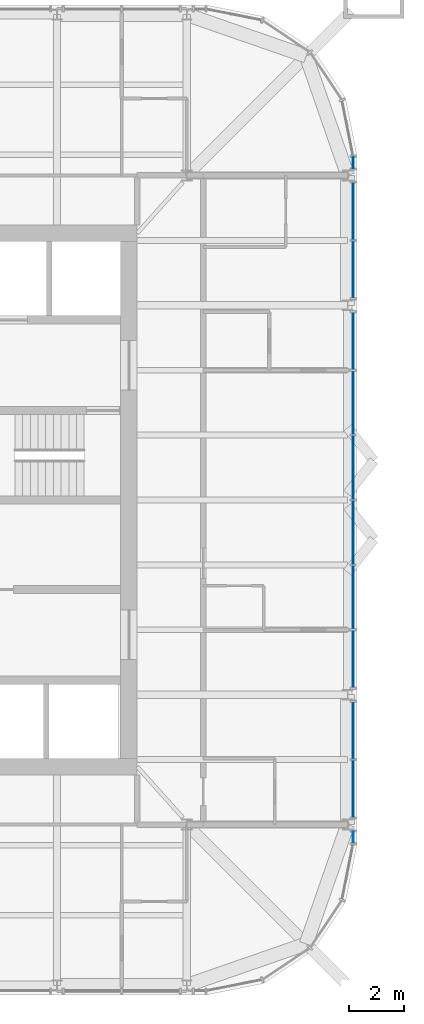
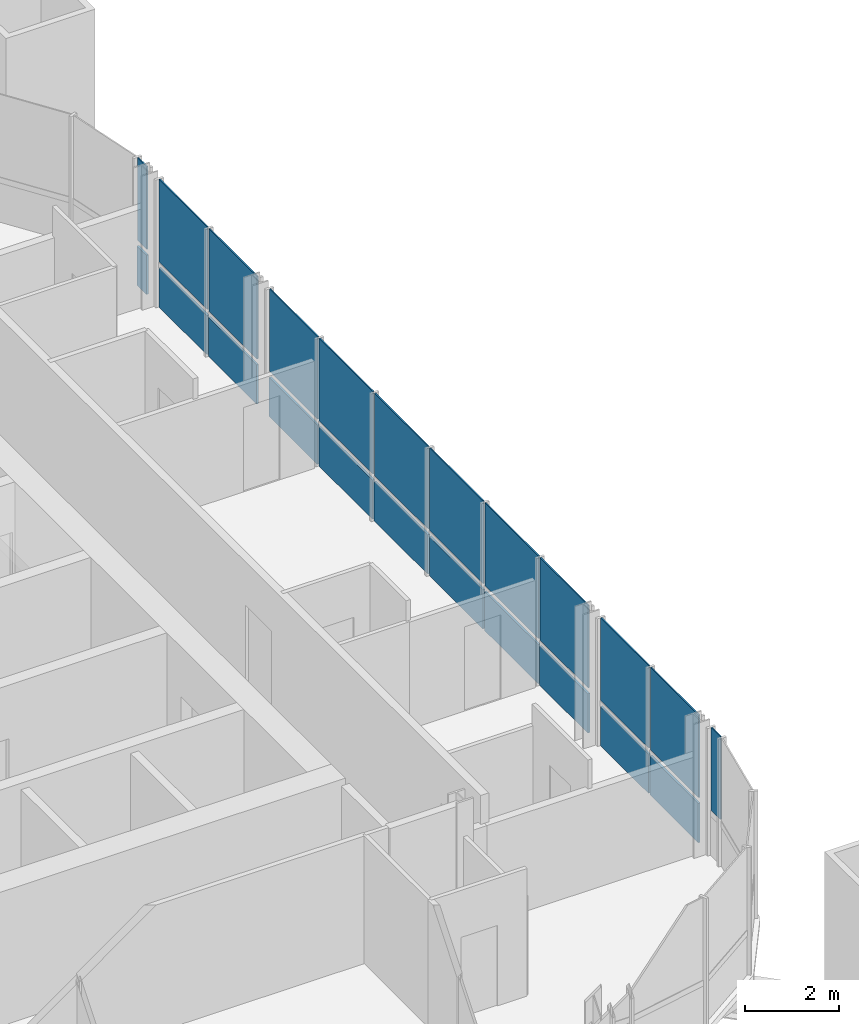
# One storey, part 11 of 17: 23 plates, 5 elements without a shape of their own.
"""IFC4 building model written with IfcOpenShell, lengths in metres."""

import ifcopenshell
import ifcopenshell.guid

model = None  # the IFC model being written
_history = None  # IfcOwnerHistory: only IFC2X3 demands one
_inside = {}  # id of a spatial element -> (the spatial element, [elements in it])
_under = {}  # id of a project, library or spatial element -> (it, [spatial elements below it])
_declared = {}  # id of a project -> (the project, [libraries it declares])
_typed = {}  # id of a type object -> (the type object, [elements of that type])
_made_of = {}  # id of a material, layer set ... -> (it, [elements and type objects made of it])


def new_model(schema):
    """Start an empty IFC model of exactly this schema.

    Asked for "IFC4X3", IfcOpenShell would pick the latest addendum, in which some entities
    have other attributes; the version numbers below select the first issue.
    IFC2X3 requires an IfcOwnerHistory on every rooted entity: one is made here for all.
    """
    global model, _history
    if schema == "IFC4X3":
        model = ifcopenshell.file(schema_version=(4, 3, 0, 0))
    else:
        model = ifcopenshell.file(schema=schema)
    _inside.clear()
    _under.clear()
    _declared.clear()
    _typed.clear()
    _made_of.clear()
    _history = None
    if model.schema == "IFC2X3":
        org = make("IfcOrganization", Name="unknown")
        user = make(
            "IfcPersonAndOrganization",
            ThePerson=make("IfcPerson", FamilyName="unknown"),
            TheOrganization=org,
        )
        app = make(
            "IfcApplication",
            ApplicationDeveloper=org,
            Version="unknown",
            ApplicationFullName="unknown",
            ApplicationIdentifier="unknown",
        )
        _history = make(
            "IfcOwnerHistory",
            OwningUser=user,
            OwningApplication=app,
            ChangeAction="ADDED",
            CreationDate=0,
        )
    return model


def make(cls, **values):
    """One entity of the class cls with the attributes given. An attribute that is None is left unset."""
    return model.create_entity(
        cls, **{name: value for name, value in values.items() if value is not None}
    )


def rooted(cls, **values):
    """An entity with a GlobalId (a new one), such as an element, a storey or a relation."""
    return make(cls, GlobalId=ifcopenshell.guid.new(), OwnerHistory=_history, **values)


def si_unit(unit_type, name, prefix=None):
    """IfcSIUnit, for example si_unit("LENGTHUNIT", "METRE", prefix="MILLI")."""
    return make("IfcSIUnit", UnitType=unit_type, Prefix=prefix, Name=name)


def assignment(units):
    """IfcUnitAssignment: the units of a project."""
    return None if units is None else make("IfcUnitAssignment", Units=units)


def point(xyz):
    """IfcCartesianPoint."""
    return None if xyz is None else make("IfcCartesianPoint", Coordinates=xyz)


def direction(xyz):
    """IfcDirection."""
    return None if xyz is None else make("IfcDirection", DirectionRatios=xyz)


def frame(location, z_axis=None, x_axis=None):
    """IfcAxis2Placement3D, a coordinate frame: its origin and axes. An axis left out is left unset."""
    return make(
        "IfcAxis2Placement3D",
        Location=point(location),
        Axis=direction(z_axis),
        RefDirection=direction(x_axis),
    )


def frame_2d(location, x_axis=None):
    """IfcAxis2Placement2D, a coordinate frame in the plane: its origin and x axis."""
    return make(
        "IfcAxis2Placement2D", Location=point(location), RefDirection=direction(x_axis)
    )


def origin():
    """The frame at (0, 0, 0) with its axes left unset."""
    return frame((0.0, 0.0, 0.0))


def origin_2d():
    """The frame at (0, 0) in the plane with its x axis left unset."""
    return frame_2d((0.0, 0.0))


def place(relative_to, where):
    """IfcLocalPlacement: puts the frame where relative to a parent placement (None: the world)."""
    return make(
        "IfcLocalPlacement", PlacementRelTo=relative_to, RelativePlacement=where
    )


def context(
    kind, dimensions, precision=None, world=None, true_north=None, identifier=None
):
    """IfcGeometricRepresentationContext, for example the 3D "Model" context."""
    return make(
        "IfcGeometricRepresentationContext",
        ContextIdentifier=identifier,
        ContextType=kind,
        CoordinateSpaceDimension=dimensions,
        Precision=precision,
        WorldCoordinateSystem=world,
        TrueNorth=true_north,
    )


def subcontext(parent, identifier, kind, view, scale=None):
    """IfcGeometricRepresentationSubContext, for example "Body" below "Model"."""
    return make(
        "IfcGeometricRepresentationSubContext",
        ContextIdentifier=identifier,
        ContextType=kind,
        ParentContext=parent,
        TargetScale=scale,
        TargetView=view,
    )


def project(units=None, contexts=None):
    """IfcProject with its units and contexts."""
    return rooted(
        "IfcProject",
        Name="project",
        RepresentationContexts=contexts,
        UnitsInContext=assignment(units),
    )


def spatial(cls, under=None, at=None, **own):
    """A site, building, storey or space (cls), placed at a placement, below another one or the project."""
    s = rooted(cls, ObjectPlacement=at, **own)
    if under is not None:
        _under.setdefault(under.id(), (under, []))[1].append(s)
    return s


def profile(cls, at=None, kind="AREA", **sizes):
    """A parametric profile (cls). Its sizes go by their IFC names, for example OverallWidth=200.0."""
    return make(cls, ProfileType=kind, Position=at, **sizes)


def rectangle(**sizes):
    """IfcRectangleProfileDef."""
    return profile("IfcRectangleProfileDef", **sizes)


def extrude(swept, where, along, depth):
    """IfcExtrudedAreaSolid: the profile swept, set in the frame where, extruded along a direction by depth."""
    return make(
        "IfcExtrudedAreaSolid",
        SweptArea=swept,
        Position=where,
        ExtrudedDirection=direction(along),
        Depth=depth,
    )


def shape(context_of_items, identifier, shape_type, items):
    """IfcShapeRepresentation: the items that make up one representation, for example the "Body"."""
    return make(
        "IfcShapeRepresentation",
        ContextOfItems=context_of_items,
        RepresentationIdentifier=identifier,
        RepresentationType=shape_type,
        Items=items,
    )


def material(Name=None, Category=None):
    """IfcMaterial."""
    return make("IfcMaterial", Name=Name, Category=Category)


def layer(
    of_material, thickness, ventilated=None, Name=None, Category=None, Priority=None
):
    """IfcMaterialLayer: one layer of a wall or slab, of a material (None: an air gap)."""
    return make(
        "IfcMaterialLayer",
        Material=of_material,
        LayerThickness=thickness,
        IsVentilated=ventilated,
        Name=Name,
        Category=Category,
        Priority=Priority,
    )


def layer_set(layers, Name=None):
    """IfcMaterialLayerSet."""
    return make("IfcMaterialLayerSet", MaterialLayers=layers, LayerSetName=Name)


def made_of(thing, what):
    """Note that an element or type object is made of a material, layer set ...; save() writes the relation."""
    if what is not None:
        _made_of.setdefault(what.id(), (what, []))[1].append(thing)
    return thing


def type_object(cls, material=None, **own):
    """A type object (cls), such as IfcWallType, which elements share."""
    return made_of(rooted(cls, **own), material)


def element(
    cls,
    number,
    at=None,
    inside=None,
    cuts=None,
    type_object=None,
    material=None,
    context=None,
    identifier="Body",
    shape_type=None,
    held_by="IfcProductDefinitionShape",
    body=None,
    shapes=None,
    **own,
):
    """One element of the class cls, such as IfcWall. Its Tag is "e" and its number.

    at: its placement. inside: the storey or other place that contains it. cuts: it is an
    opening in that element (IfcRelVoidsElement). A single representation is given by context,
    identifier, shape_type and body (its items); several are given by shapes. held_by: the class
    of the entity that holds the representations. save() writes the other relations.
    """
    e = rooted(cls, Tag="e%d" % number, ObjectPlacement=at, **own)
    if body is not None:
        shapes = [shape(context, identifier, shape_type, body)]
    if shapes is not None:
        e.Representation = make(held_by, Representations=shapes)
    if inside is not None:
        _inside.setdefault(inside.id(), (inside, []))[1].append(e)
    if cuts is not None:
        rooted(
            "IfcRelVoidsElement", RelatingBuildingElement=cuts, RelatedOpeningElement=e
        )
    if type_object is not None:
        _typed.setdefault(type_object.id(), (type_object, []))[1].append(e)
    return made_of(e, material)


def aggregate(whole, parts):
    """IfcRelAggregates: a whole, such as a stair, and the parts it consists of."""
    return rooted("IfcRelAggregates", RelatingObject=whole, RelatedObjects=parts)


def save(model, path):
    """Write the relations noted so far, then the file.

    IfcRelAggregates (storeys below a building ...), IfcRelContainedInSpatialStructure (elements
    in a storey), IfcRelDefinesByType, IfcRelAssociatesMaterial and IfcRelDeclares: one each for
    every whole, place, type object, material and project.
    """
    for whole, parts in _under.values():
        aggregate(whole, parts)
    for where, things in _inside.values():
        rooted(
            "IfcRelContainedInSpatialStructure",
            RelatedElements=things,
            RelatingStructure=where,
        )
    for kind, things in _typed.values():
        rooted("IfcRelDefinesByType", RelatedObjects=things, RelatingType=kind)
    for what, things in _made_of.values():
        rooted("IfcRelAssociatesMaterial", RelatedObjects=things, RelatingMaterial=what)
    for by, libraries in _declared.values():
        rooted("IfcRelDeclares", RelatingContext=by, RelatedDefinitions=libraries)
    model.write(path)


model = new_model("IFC4")

# Units and contexts
model_context = context("Model", 3, precision=1e-05, world=origin(), true_north=direction((0.0, 1.0)))
body_context = subcontext(model_context, "Body", "Model", "MODEL_VIEW")
ifc_project = project(units=[si_unit("LENGTHUNIT", "METRE"), si_unit("AREAUNIT", "SQUARE_METRE"), si_unit("VOLUMEUNIT", "CUBIC_METRE"), si_unit("PLANEANGLEUNIT", "RADIAN"), si_unit("MASSUNIT", "GRAM", prefix="KILO")], contexts=[model_context])

# Site, building, storey
site_placement = place(None, origin())
site = spatial("IfcSite", under=ifc_project, at=site_placement, CompositionType="ELEMENT")
building_placement = place(site_placement, origin())
building = spatial("IfcBuilding", under=site, at=building_placement, Name="Turquesa Mirador Hotel Tower", CompositionType="ELEMENT")
storey_placement = place(building_placement, frame((0.0, 0.0, 251.199951171875)))
storey = spatial("IfcBuildingStorey", under=building, at=storey_placement, Name="L68", CompositionType="ELEMENT", Elevation=251.199951171875)

# Curtain wall, plates
ifc_material_1 = material(Name="Aluminium extrusion", Category="aluminium")
curtain_wall_type = type_object("IfcCurtainWallType", Name="CW-4 SUITE FRITTED CURTAIN WALL", PredefinedType="USERDEFINED", material=ifc_material_1)
curtain_wall_1_placement = place(storey_placement, origin())
curtain_wall_1 = element("IfcCurtainWall", 1, at=curtain_wall_1_placement, inside=storey, type_object=curtain_wall_type, Name="CW-4 SUITE FRITTED CURTAIN WALL L68", ObjectType="CURTAIN WALL", PredefinedType="USERDEFINED")
ifc_material_2 = material(Name="Ceramic-printed spandrel glass on an insulated back pan", Category="glass")
ifc_layer_1 = layer(ifc_material_2, 0.050048828125)
ifc_layer_set_1 = layer_set([ifc_layer_1], Name="CW PANEL SPANDREL CERAMIC")
plate_type_1 = type_object("IfcPlateType", Name="CW PANEL SPANDREL CERAMIC", PredefinedType="CURTAIN_PANEL", material=ifc_layer_set_1)
plate_1_placement = place(storey_placement, frame((72.85009765625, 34.496826171875, 0.0), z_axis=(0.0, 0.0, 1.0), x_axis=(0.0, 1.0, 0.0)))
plate_1 = element("IfcPlate", 2, at=plate_1_placement, type_object=plate_type_1, Name="Panel", PredefinedType="CURTAIN_PANEL", context=body_context, shape_type="SweptSolid", body=[
    extrude(rectangle(XDim=2.06103515625, YDim=0.050048828125, at=origin_2d()), origin(), (0.0, 0.0, 1.0), 1.02490234375),
])
plate_2_placement = place(storey_placement, frame((72.85009765625, 36.623046875, 0.0), z_axis=(0.0, 0.0, 1.0), x_axis=(0.0, 1.0, 0.0)))
plate_2 = element("IfcPlate", 3, at=plate_2_placement, type_object=plate_type_1, Name="Panel", PredefinedType="CURTAIN_PANEL", context=body_context, shape_type="SweptSolid", body=[
    extrude(rectangle(XDim=2.06103515625, YDim=0.050048828125, at=origin_2d()), origin(), (0.0, 0.0, 1.0), 1.02490234375),
])

curtain_wall_2_placement = place(storey_placement, origin())
curtain_wall_2 = element("IfcCurtainWall", 4, at=curtain_wall_2_placement, inside=storey, type_object=curtain_wall_type, Name="CW-4 SUITE FRITTED CURTAIN WALL L68", ObjectType="CURTAIN WALL", PredefinedType="USERDEFINED")
plate_3_placement = place(storey_placement, frame((72.85009765625, 39.217041015625, 0.0), z_axis=(0.0, 0.0, 1.0), x_axis=(0.0, 1.0, 0.0)))
plate_3 = element("IfcPlate", 5, at=plate_3_placement, type_object=plate_type_1, Name="Panel", PredefinedType="CURTAIN_PANEL", context=body_context, shape_type="SweptSolid", body=[
    extrude(rectangle(XDim=2.06103515625, YDim=0.050048828125, at=origin_2d()), origin(), (0.0, 0.0, 1.0), 1.02490234375),
])
plate_4_placement = place(storey_placement, frame((72.85009765625, 41.4599609375, 0.0), z_axis=(0.0, 0.0, 1.0), x_axis=(0.0, 1.0, 0.0)))
plate_4 = element("IfcPlate", 6, at=plate_4_placement, type_object=plate_type_1, Name="Panel", PredefinedType="CURTAIN_PANEL", context=body_context, shape_type="SweptSolid", body=[
    extrude(rectangle(XDim=2.294921875, YDim=0.050048828125, at=origin_2d()), origin(), (0.0, 0.0, 1.0), 1.02490234375),
])
plate_5_placement = place(storey_placement, frame((72.85009765625, 43.820068359375, 0.0), z_axis=(0.0, 0.0, 1.0), x_axis=(0.0, 1.0, 0.0)))
plate_5 = element("IfcPlate", 7, at=plate_5_placement, type_object=plate_type_1, Name="Panel", PredefinedType="CURTAIN_PANEL", context=body_context, shape_type="SweptSolid", body=[
    extrude(rectangle(XDim=2.294921875, YDim=0.050048828125, at=origin_2d()), origin(), (0.0, 0.0, 1.0), 1.02490234375),
])
plate_6_placement = place(storey_placement, frame((72.85009765625, 46.179931640625, 0.0), z_axis=(0.0, 0.0, 1.0), x_axis=(0.0, 1.0, 0.0)))
plate_6 = element("IfcPlate", 8, at=plate_6_placement, type_object=plate_type_1, Name="Panel", PredefinedType="CURTAIN_PANEL", context=body_context, shape_type="SweptSolid", body=[
    extrude(rectangle(XDim=2.294921875, YDim=0.050048828125, at=origin_2d()), origin(), (0.0, 0.0, 1.0), 1.02490234375),
])
plate_7_placement = place(storey_placement, frame((72.85009765625, 48.5400390625, 0.0), z_axis=(0.0, 0.0, 1.0), x_axis=(0.0, 1.0, 0.0)))
plate_7 = element("IfcPlate", 9, at=plate_7_placement, type_object=plate_type_1, Name="Panel", PredefinedType="CURTAIN_PANEL", context=body_context, shape_type="SweptSolid", body=[
    extrude(rectangle(XDim=2.294921875, YDim=0.050048828125, at=origin_2d()), origin(), (0.0, 0.0, 1.0), 1.02490234375),
])
plate_8_placement = place(storey_placement, frame((72.85009765625, 50.782958984375, 0.0), z_axis=(0.0, 0.0, 1.0), x_axis=(0.0, 1.0, 0.0)))
plate_8 = element("IfcPlate", 10, at=plate_8_placement, type_object=plate_type_1, Name="Panel", PredefinedType="CURTAIN_PANEL", context=body_context, shape_type="SweptSolid", body=[
    extrude(rectangle(XDim=2.06103515625, YDim=0.050048828125, at=origin_2d()), origin(), (0.0, 0.0, 1.0), 1.02490234375),
])

curtain_wall_3_placement = place(storey_placement, origin())
curtain_wall_3 = element("IfcCurtainWall", 11, at=curtain_wall_3_placement, inside=storey, type_object=curtain_wall_type, Name="CW-4 SUITE FRITTED CURTAIN WALL L68", ObjectType="CURTAIN WALL", PredefinedType="USERDEFINED")
plate_9_placement = place(storey_placement, frame((72.85009765625, 53.376953125, 0.0), z_axis=(0.0, 0.0, 1.0), x_axis=(0.0, 1.0, 0.0)))
plate_9 = element("IfcPlate", 12, at=plate_9_placement, type_object=plate_type_1, Name="Panel", PredefinedType="CURTAIN_PANEL", context=body_context, shape_type="SweptSolid", body=[
    extrude(rectangle(XDim=2.06103515625, YDim=0.050048828125, at=origin_2d()), origin(), (0.0, 0.0, 1.0), 1.02490234375),
])
plate_10_placement = place(storey_placement, frame((72.85009765625, 55.503173828125, 0.0), z_axis=(0.0, 0.0, 1.0), x_axis=(0.0, 1.0, 0.0)))
plate_10 = element("IfcPlate", 13, at=plate_10_placement, type_object=plate_type_1, Name="Panel", PredefinedType="CURTAIN_PANEL", context=body_context, shape_type="SweptSolid", body=[
    extrude(rectangle(XDim=2.06103515625, YDim=0.050048828125, at=origin_2d()), origin(), (0.0, 0.0, 1.0), 1.02490234375),
])

# Curtain wall, plate
curtain_wall_4_placement = place(storey_placement, origin())
curtain_wall_4 = element("IfcCurtainWall", 14, at=curtain_wall_4_placement, inside=storey, type_object=curtain_wall_type, Name="CW-4 SUITE FRITTED CURTAIN WALL L68", ObjectType="CURTAIN WALL", PredefinedType="USERDEFINED")
plate_11_placement = place(storey_placement, frame((72.85009765625, 57.266845703125, 0.0), z_axis=(0.0, 0.0, 1.0), x_axis=(0.0, 1.0, 0.0)))
plate_11 = element("IfcPlate", 15, at=plate_11_placement, type_object=plate_type_1, Name="Panel", PredefinedType="CURTAIN_PANEL", context=body_context, shape_type="SweptSolid", body=[
    extrude(rectangle(XDim=0.401123046875, YDim=0.050048828125, at=origin_2d()), origin(), (0.0, 0.0, 1.0), 1.02490234375),
])

curtain_wall_5_placement = place(storey_placement, origin())
curtain_wall_5 = element("IfcCurtainWall", 16, at=curtain_wall_5_placement, inside=storey, type_object=curtain_wall_type, Name="CW-4 SUITE FRITTED CURTAIN WALL L68", ObjectType="CURTAIN WALL", PredefinedType="USERDEFINED")
ifc_material_3 = material(Name="Ceramic-fritted laminated glass", Category="glass")
ifc_layer_2 = layer(ifc_material_3, 0.031982421875)
ifc_layer_set_2 = layer_set([ifc_layer_2], Name="CW PANEL VISION FRITTED")
plate_type_2 = type_object("IfcPlateType", Name="CW PANEL VISION FRITTED", PredefinedType="CURTAIN_PANEL", material=ifc_layer_set_2)
plate_12_placement = place(storey_placement, frame((72.85009765625, 32.733154296875, 1.1748046875), z_axis=(0.0, 0.0, 1.0), x_axis=(0.0, 1.0, 0.0)))
plate_12 = element("IfcPlate", 17, at=plate_12_placement, type_object=plate_type_2, Name="Panel", PredefinedType="CURTAIN_PANEL", context=body_context, shape_type="SweptSolid", body=[
    extrude(rectangle(XDim=0.401123046875, YDim=0.031982421875, at=origin_2d()), origin(), (0.0, 0.0, 1.0), 2.155029296875),
])
aggregate(curtain_wall_5, [plate_12])

# Plate
plate_13_placement = place(storey_placement, frame((72.85009765625, 34.496826171875, 1.1748046875), z_axis=(0.0, 0.0, 1.0), x_axis=(0.0, 1.0, 0.0)))
plate_13 = element("IfcPlate", 18, at=plate_13_placement, type_object=plate_type_2, Name="Panel", PredefinedType="CURTAIN_PANEL", context=body_context, shape_type="SweptSolid", body=[
    extrude(rectangle(XDim=2.06103515625, YDim=0.031982421875, at=origin_2d()), origin(), (0.0, 0.0, 1.0), 2.155029296875),
])

plate_14_placement = place(storey_placement, frame((72.85009765625, 36.623046875, 1.1748046875), z_axis=(0.0, 0.0, 1.0), x_axis=(0.0, 1.0, 0.0)))
plate_14 = element("IfcPlate", 19, at=plate_14_placement, type_object=plate_type_2, Name="Panel", PredefinedType="CURTAIN_PANEL", context=body_context, shape_type="SweptSolid", body=[
    extrude(rectangle(XDim=2.06103515625, YDim=0.031982421875, at=origin_2d()), origin(), (0.0, 0.0, 1.0), 2.155029296875),
])

aggregate(curtain_wall_1, [plate_1, plate_13, plate_2, plate_14])

plate_15_placement = place(storey_placement, frame((72.85009765625, 39.217041015625, 1.1748046875), z_axis=(0.0, 0.0, 1.0), x_axis=(0.0, 1.0, 0.0)))
plate_15 = element("IfcPlate", 20, at=plate_15_placement, type_object=plate_type_2, Name="Panel", PredefinedType="CURTAIN_PANEL", context=body_context, shape_type="SweptSolid", body=[
    extrude(rectangle(XDim=2.06103515625, YDim=0.031982421875, at=origin_2d()), origin(), (0.0, 0.0, 1.0), 2.155029296875),
])

plate_16_placement = place(storey_placement, frame((72.85009765625, 41.4599609375, 1.1748046875), z_axis=(0.0, 0.0, 1.0), x_axis=(0.0, 1.0, 0.0)))
plate_16 = element("IfcPlate", 21, at=plate_16_placement, type_object=plate_type_2, Name="Panel", PredefinedType="CURTAIN_PANEL", context=body_context, shape_type="SweptSolid", body=[
    extrude(rectangle(XDim=2.294921875, YDim=0.031982421875, at=origin_2d()), origin(), (0.0, 0.0, 1.0), 2.155029296875),
])

plate_17_placement = place(storey_placement, frame((72.85009765625, 43.820068359375, 1.1748046875), z_axis=(0.0, 0.0, 1.0), x_axis=(0.0, 1.0, 0.0)))
plate_17 = element("IfcPlate", 22, at=plate_17_placement, type_object=plate_type_2, Name="Panel", PredefinedType="CURTAIN_PANEL", context=body_context, shape_type="SweptSolid", body=[
    extrude(rectangle(XDim=2.294921875, YDim=0.031982421875, at=origin_2d()), origin(), (0.0, 0.0, 1.0), 2.155029296875),
])

plate_18_placement = place(storey_placement, frame((72.85009765625, 46.179931640625, 1.1748046875), z_axis=(0.0, 0.0, 1.0), x_axis=(0.0, 1.0, 0.0)))
plate_18 = element("IfcPlate", 23, at=plate_18_placement, type_object=plate_type_2, Name="Panel", PredefinedType="CURTAIN_PANEL", context=body_context, shape_type="SweptSolid", body=[
    extrude(rectangle(XDim=2.294921875, YDim=0.031982421875, at=origin_2d()), origin(), (0.0, 0.0, 1.0), 2.155029296875),
])

plate_19_placement = place(storey_placement, frame((72.85009765625, 48.5400390625, 1.1748046875), z_axis=(0.0, 0.0, 1.0), x_axis=(0.0, 1.0, 0.0)))
plate_19 = element("IfcPlate", 24, at=plate_19_placement, type_object=plate_type_2, Name="Panel", PredefinedType="CURTAIN_PANEL", context=body_context, shape_type="SweptSolid", body=[
    extrude(rectangle(XDim=2.294921875, YDim=0.031982421875, at=origin_2d()), origin(), (0.0, 0.0, 1.0), 2.155029296875),
])

plate_20_placement = place(storey_placement, frame((72.85009765625, 50.782958984375, 1.1748046875), z_axis=(0.0, 0.0, 1.0), x_axis=(0.0, 1.0, 0.0)))
plate_20 = element("IfcPlate", 25, at=plate_20_placement, type_object=plate_type_2, Name="Panel", PredefinedType="CURTAIN_PANEL", context=body_context, shape_type="SweptSolid", body=[
    extrude(rectangle(XDim=2.06103515625, YDim=0.031982421875, at=origin_2d()), origin(), (0.0, 0.0, 1.0), 2.155029296875),
])

aggregate(curtain_wall_2, [plate_3, plate_15, plate_4, plate_16, plate_5, plate_17, plate_6, plate_18, plate_7, plate_19, plate_8, plate_20])

plate_21_placement = place(storey_placement, frame((72.85009765625, 53.376953125, 1.1748046875), z_axis=(0.0, 0.0, 1.0), x_axis=(0.0, 1.0, 0.0)))
plate_21 = element("IfcPlate", 26, at=plate_21_placement, type_object=plate_type_2, Name="Panel", PredefinedType="CURTAIN_PANEL", context=body_context, shape_type="SweptSolid", body=[
    extrude(rectangle(XDim=2.06103515625, YDim=0.031982421875, at=origin_2d()), origin(), (0.0, 0.0, 1.0), 2.155029296875),
])

plate_22_placement = place(storey_placement, frame((72.85009765625, 55.503173828125, 1.1748046875), z_axis=(0.0, 0.0, 1.0), x_axis=(0.0, 1.0, 0.0)))
plate_22 = element("IfcPlate", 27, at=plate_22_placement, type_object=plate_type_2, Name="Panel", PredefinedType="CURTAIN_PANEL", context=body_context, shape_type="SweptSolid", body=[
    extrude(rectangle(XDim=2.06103515625, YDim=0.031982421875, at=origin_2d()), origin(), (0.0, 0.0, 1.0), 2.155029296875),
])

aggregate(curtain_wall_3, [plate_9, plate_21, plate_10, plate_22])

plate_23_placement = place(storey_placement, frame((72.85009765625, 57.266845703125, 1.1748046875), z_axis=(0.0, 0.0, 1.0), x_axis=(0.0, 1.0, 0.0)))
plate_23 = element("IfcPlate", 28, at=plate_23_placement, type_object=plate_type_2, Name="Panel", PredefinedType="CURTAIN_PANEL", context=body_context, shape_type="SweptSolid", body=[
    extrude(rectangle(XDim=0.401123046875, YDim=0.031982421875, at=origin_2d()), origin(), (0.0, 0.0, 1.0), 2.155029296875),
])

aggregate(curtain_wall_4, [plate_11, plate_23])

save(model, "model.ifc")
